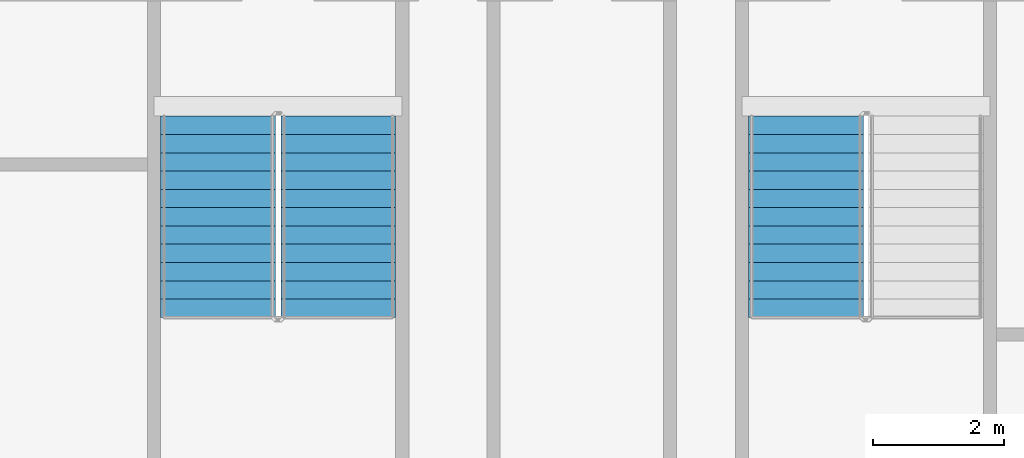
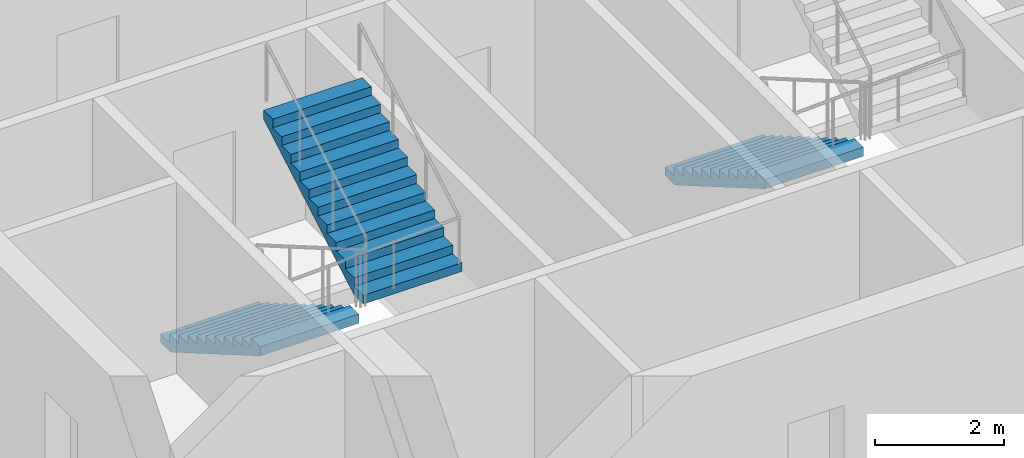
# One storey, part 7 of 11: 3 stair flights, 2 elements without a shape of their own.
"""IFC4 building model written with IfcOpenShell, lengths in metres."""

import ifcopenshell
import ifcopenshell.guid

model = None  # the IFC model being written
_history = None  # IfcOwnerHistory: only IFC2X3 demands one
_inside = {}  # id of a spatial element -> (the spatial element, [elements in it])
_under = {}  # id of a project, library or spatial element -> (it, [spatial elements below it])
_declared = {}  # id of a project -> (the project, [libraries it declares])
_typed = {}  # id of a type object -> (the type object, [elements of that type])
_made_of = {}  # id of a material, layer set ... -> (it, [elements and type objects made of it])


def new_model(schema):
    """Start an empty IFC model of exactly this schema.

    Asked for "IFC4X3", IfcOpenShell would pick the latest addendum, in which some entities
    have other attributes; the version numbers below select the first issue.
    IFC2X3 requires an IfcOwnerHistory on every rooted entity: one is made here for all.
    """
    global model, _history
    if schema == "IFC4X3":
        model = ifcopenshell.file(schema_version=(4, 3, 0, 0))
    else:
        model = ifcopenshell.file(schema=schema)
    _inside.clear()
    _under.clear()
    _declared.clear()
    _typed.clear()
    _made_of.clear()
    _history = None
    if model.schema == "IFC2X3":
        org = make("IfcOrganization", Name="unknown")
        user = make(
            "IfcPersonAndOrganization",
            ThePerson=make("IfcPerson", FamilyName="unknown"),
            TheOrganization=org,
        )
        app = make(
            "IfcApplication",
            ApplicationDeveloper=org,
            Version="unknown",
            ApplicationFullName="unknown",
            ApplicationIdentifier="unknown",
        )
        _history = make(
            "IfcOwnerHistory",
            OwningUser=user,
            OwningApplication=app,
            ChangeAction="ADDED",
            CreationDate=0,
        )
    return model


def make(cls, **values):
    """One entity of the class cls with the attributes given. An attribute that is None is left unset."""
    return model.create_entity(
        cls, **{name: value for name, value in values.items() if value is not None}
    )


def rooted(cls, **values):
    """An entity with a GlobalId (a new one), such as an element, a storey or a relation."""
    return make(cls, GlobalId=ifcopenshell.guid.new(), OwnerHistory=_history, **values)


def si_unit(unit_type, name, prefix=None):
    """IfcSIUnit, for example si_unit("LENGTHUNIT", "METRE", prefix="MILLI")."""
    return make("IfcSIUnit", UnitType=unit_type, Prefix=prefix, Name=name)


def assignment(units):
    """IfcUnitAssignment: the units of a project."""
    return None if units is None else make("IfcUnitAssignment", Units=units)


def point(xyz):
    """IfcCartesianPoint."""
    return None if xyz is None else make("IfcCartesianPoint", Coordinates=xyz)


def direction(xyz):
    """IfcDirection."""
    return None if xyz is None else make("IfcDirection", DirectionRatios=xyz)


def frame(location, z_axis=None, x_axis=None):
    """IfcAxis2Placement3D, a coordinate frame: its origin and axes. An axis left out is left unset."""
    return make(
        "IfcAxis2Placement3D",
        Location=point(location),
        Axis=direction(z_axis),
        RefDirection=direction(x_axis),
    )


def origin():
    """The frame at (0, 0, 0) with its axes left unset."""
    return frame((0.0, 0.0, 0.0))


def place(relative_to, where):
    """IfcLocalPlacement: puts the frame where relative to a parent placement (None: the world)."""
    return make(
        "IfcLocalPlacement", PlacementRelTo=relative_to, RelativePlacement=where
    )


def context(
    kind, dimensions, precision=None, world=None, true_north=None, identifier=None
):
    """IfcGeometricRepresentationContext, for example the 3D "Model" context."""
    return make(
        "IfcGeometricRepresentationContext",
        ContextIdentifier=identifier,
        ContextType=kind,
        CoordinateSpaceDimension=dimensions,
        Precision=precision,
        WorldCoordinateSystem=world,
        TrueNorth=true_north,
    )


def subcontext(parent, identifier, kind, view, scale=None):
    """IfcGeometricRepresentationSubContext, for example "Body" below "Model"."""
    return make(
        "IfcGeometricRepresentationSubContext",
        ContextIdentifier=identifier,
        ContextType=kind,
        ParentContext=parent,
        TargetScale=scale,
        TargetView=view,
    )


def project(units=None, contexts=None):
    """IfcProject with its units and contexts."""
    return rooted(
        "IfcProject",
        Name="project",
        RepresentationContexts=contexts,
        UnitsInContext=assignment(units),
    )


def spatial(cls, under=None, at=None, **own):
    """A site, building, storey or space (cls), placed at a placement, below another one or the project."""
    s = rooted(cls, ObjectPlacement=at, **own)
    if under is not None:
        _under.setdefault(under.id(), (under, []))[1].append(s)
    return s


def faces_of(points, faces, orient=None, outer=None):
    """IfcFace entities. A face is a list of loops; a loop is a list of indices into points, from 0.

    orient and outer hold one flag for each loop. By default every Orientation is true, the
    first loop of a face is its IfcFaceOuterBound and the others are IfcFaceBound.
    """
    made = []
    for i, loops in enumerate(faces):
        bounds = []
        for j, loop in enumerate(loops):
            is_outer = j == 0 if outer is None else outer[i][j]
            bounds.append(
                make(
                    "IfcFaceOuterBound" if is_outer else "IfcFaceBound",
                    Bound=make("IfcPolyLoop", Polygon=[points[k] for k in loop]),
                    Orientation=True if orient is None else orient[i][j],
                )
            )
        made.append(make("IfcFace", Bounds=bounds))
    return made


def faceted_brep(points, faces, orient=None, outer=None, voids=None):
    """IfcFacetedBrep: a solid bounded by flat faces; with voids (closed shells), ...WithVoids."""
    shared = [point(p) for p in points]
    hull = make("IfcClosedShell", CfsFaces=faces_of(shared, faces, orient, outer))
    if voids is None:
        return make("IfcFacetedBrep", Outer=hull)
    return make(
        "IfcFacetedBrepWithVoids",
        Outer=hull,
        Voids=[
            make(cls, CfsFaces=faces_of(shared, fs, o, b)) for cls, fs, o, b in voids
        ],
    )


def shape(context_of_items, identifier, shape_type, items):
    """IfcShapeRepresentation: the items that make up one representation, for example the "Body"."""
    return make(
        "IfcShapeRepresentation",
        ContextOfItems=context_of_items,
        RepresentationIdentifier=identifier,
        RepresentationType=shape_type,
        Items=items,
    )


def material(Name=None, Category=None):
    """IfcMaterial."""
    return make("IfcMaterial", Name=Name, Category=Category)


def made_of(thing, what):
    """Note that an element or type object is made of a material, layer set ...; save() writes the relation."""
    if what is not None:
        _made_of.setdefault(what.id(), (what, []))[1].append(thing)
    return thing


def type_object(cls, material=None, **own):
    """A type object (cls), such as IfcWallType, which elements share."""
    return made_of(rooted(cls, **own), material)


def element(
    cls,
    number,
    at=None,
    inside=None,
    cuts=None,
    type_object=None,
    material=None,
    context=None,
    identifier="Body",
    shape_type=None,
    held_by="IfcProductDefinitionShape",
    body=None,
    shapes=None,
    **own,
):
    """One element of the class cls, such as IfcWall. Its Tag is "e" and its number.

    at: its placement. inside: the storey or other place that contains it. cuts: it is an
    opening in that element (IfcRelVoidsElement). A single representation is given by context,
    identifier, shape_type and body (its items); several are given by shapes. held_by: the class
    of the entity that holds the representations. save() writes the other relations.
    """
    e = rooted(cls, Tag="e%d" % number, ObjectPlacement=at, **own)
    if body is not None:
        shapes = [shape(context, identifier, shape_type, body)]
    if shapes is not None:
        e.Representation = make(held_by, Representations=shapes)
    if inside is not None:
        _inside.setdefault(inside.id(), (inside, []))[1].append(e)
    if cuts is not None:
        rooted(
            "IfcRelVoidsElement", RelatingBuildingElement=cuts, RelatedOpeningElement=e
        )
    if type_object is not None:
        _typed.setdefault(type_object.id(), (type_object, []))[1].append(e)
    return made_of(e, material)


def aggregate(whole, parts):
    """IfcRelAggregates: a whole, such as a stair, and the parts it consists of."""
    return rooted("IfcRelAggregates", RelatingObject=whole, RelatedObjects=parts)


def save(model, path):
    """Write the relations noted so far, then the file.

    IfcRelAggregates (storeys below a building ...), IfcRelContainedInSpatialStructure (elements
    in a storey), IfcRelDefinesByType, IfcRelAssociatesMaterial and IfcRelDeclares: one each for
    every whole, place, type object, material and project.
    """
    for whole, parts in _under.values():
        aggregate(whole, parts)
    for where, things in _inside.values():
        rooted(
            "IfcRelContainedInSpatialStructure",
            RelatedElements=things,
            RelatingStructure=where,
        )
    for kind, things in _typed.values():
        rooted("IfcRelDefinesByType", RelatedObjects=things, RelatingType=kind)
    for what, things in _made_of.values():
        rooted("IfcRelAssociatesMaterial", RelatedObjects=things, RelatingMaterial=what)
    for by, libraries in _declared.values():
        rooted("IfcRelDeclares", RelatingContext=by, RelatedDefinitions=libraries)
    model.write(path)


model = new_model("IFC4")

# Units and contexts
model_context = context("Model", 3, precision=1e-05, world=origin(), true_north=direction((0.0, 1.0)))
body_context = subcontext(model_context, "Body", "Model", "MODEL_VIEW")
ifc_project = project(units=[si_unit("LENGTHUNIT", "METRE"), si_unit("AREAUNIT", "SQUARE_METRE"), si_unit("VOLUMEUNIT", "CUBIC_METRE"), si_unit("PLANEANGLEUNIT", "RADIAN"), si_unit("MASSUNIT", "GRAM", prefix="KILO")], contexts=[model_context])

# Site, building, storey
site_placement = place(None, origin())
site = spatial("IfcSite", under=ifc_project, at=site_placement, CompositionType="ELEMENT")
building_placement = place(site_placement, origin())
building = spatial("IfcBuilding", under=site, at=building_placement, Name="Tarsis Ring Headquarters", CompositionType="ELEMENT")
storey_placement = place(building_placement, frame((0.0, 0.0, 350.89990234375)))
storey = spatial("IfcBuildingStorey", under=building, at=storey_placement, Name="L83", CompositionType="ELEMENT", Elevation=350.89990234375)

# Stair, stair flights
ifc_material_1 = material(Name="Core stair 1760")
stair_type = type_object("IfcStairType", Name="Core stair 1760", PredefinedType="HALF_TURN_STAIR", material=ifc_material_1)
stair_1_placement = place(storey_placement, origin())
stair_1 = element("IfcStair", 1, at=stair_1_placement, inside=storey, type_object=stair_type, Name="L83 Exit stair C", PredefinedType="HALF_TURN_STAIR")
ifc_material_2 = material(Name="Concrete C40/50", Category="concrete")
stair_flight_type = type_object("IfcStairFlightType", Name="Core stair flight 1760", PredefinedType="STRAIGHT", material=ifc_material_2)
stair_flight_1_placement = place(storey_placement, frame((-5.419921875, -3.659912109375, 0.0), z_axis=(0.0, 0.0, 1.0), x_axis=(0.0, -1.0, 0.0)))
stair_flight_1 = element("IfcStairFlight", 2, at=stair_flight_1_placement, type_object=stair_flight_type, Name="Stair ST3 flight 1", NumberOfRisers=12, NumberOfTreads=11, PredefinedType="STRAIGHT", RiserHeight=0.1625, TreadLength=0.28, context=body_context, shape_type="Brep", body=[
    faceted_brep([(0.0, 0.8798828125, 0.0), (0.0, 0.8798828125, 0.16259765625), (0.280029296875, 0.8798828125, 0.16259765625), (0.280029296875, 0.8798828125, 0.324951171875), (0.56005859375, 0.8798828125, 0.324951171875), (0.56005859375, 0.8798828125, 0.487548828125), (0.840087890625, 0.8798828125, 0.487548828125), (0.840087890625, 0.8798828125, 0.64990234375), (1.1201171875, 0.8798828125, 0.64990234375), (1.1201171875, 0.8798828125, 0.8125), (1.39990234375, 0.8798828125, 0.8125), (1.39990234375, 0.8798828125, 0.97509765625), (1.679931640625, 0.8798828125, 0.97509765625), (1.679931640625, 0.8798828125, 1.137451171875), (1.9599609375, 0.8798828125, 1.137451171875), (1.9599609375, 0.8798828125, 1.300048828125), (2.239990234375, 0.8798828125, 1.300048828125), (2.239990234375, 0.8798828125, 1.46240234375), (2.52001953125, 0.8798828125, 1.46240234375), (2.52001953125, 0.8798828125, 1.625), (2.800048828125, 0.8798828125, 1.625), (2.800048828125, 0.8798828125, 1.78759765625), (3.080078125, 0.8798828125, 1.78759765625), (3.080078125, 0.8798828125, 1.6142578125), (0.298583984375, 0.8798828125, 0.0), (0.298583984375, -0.8798828125, 0.0), (3.080078125, -0.8798828125, 1.6142578125), (3.080078125, -0.8798828125, 1.78759765625), (2.800048828125, -0.8798828125, 1.78759765625), (2.800048828125, -0.8798828125, 1.625), (2.52001953125, -0.8798828125, 1.625), (2.52001953125, -0.8798828125, 1.46240234375), (2.239990234375, -0.8798828125, 1.46240234375), (2.239990234375, -0.8798828125, 1.300048828125), (1.9599609375, -0.8798828125, 1.300048828125), (1.9599609375, -0.8798828125, 1.137451171875), (1.679931640625, -0.8798828125, 1.137451171875), (1.679931640625, -0.8798828125, 0.97509765625), (1.39990234375, -0.8798828125, 0.97509765625), (1.39990234375, -0.8798828125, 0.8125), (1.1201171875, -0.8798828125, 0.8125), (1.1201171875, -0.8798828125, 0.64990234375), (0.840087890625, -0.8798828125, 0.64990234375), (0.840087890625, -0.8798828125, 0.487548828125), (0.56005859375, -0.8798828125, 0.487548828125), (0.56005859375, -0.8798828125, 0.324951171875), (0.280029296875, -0.8798828125, 0.324951171875), (0.280029296875, -0.8798828125, 0.16259765625), (0.0, -0.8798828125, 0.16259765625), (0.0, -0.8798828125, 0.0), (0.0, -0.43994140625, 0.16259765625), (0.0, -0.43994140625, 0.0), (0.0, 0.0, 0.16259765625), (0.0, 0.0, 0.0), (0.0, 0.43994140625, 0.16259765625), (0.0, 0.43994140625, 0.0), (0.280029296875, -0.43994140625, 0.16259765625), (0.280029296875, 0.0, 0.16259765625), (0.280029296875, 0.43994140625, 0.16259765625), (0.280029296875, -0.43994140625, 0.324951171875), (0.280029296875, 0.0, 0.324951171875), (0.280029296875, 0.43994140625, 0.324951171875), (0.56005859375, -0.43994140625, 0.324951171875), (0.56005859375, 0.0, 0.324951171875), (0.56005859375, 0.43994140625, 0.324951171875), (0.56005859375, -0.43994140625, 0.487548828125), (0.56005859375, 0.0, 0.487548828125), (0.56005859375, 0.43994140625, 0.487548828125), (0.840087890625, -0.43994140625, 0.487548828125), (0.840087890625, 0.0, 0.487548828125), (0.840087890625, 0.43994140625, 0.487548828125), (0.840087890625, -0.43994140625, 0.64990234375), (0.840087890625, 0.0, 0.64990234375), (0.840087890625, 0.43994140625, 0.64990234375), (1.1201171875, -0.43994140625, 0.64990234375), (1.1201171875, 0.0, 0.64990234375), (1.1201171875, 0.43994140625, 0.64990234375), (1.1201171875, -0.43994140625, 0.8125), (1.1201171875, 0.0, 0.8125), (1.1201171875, 0.43994140625, 0.8125), (1.39990234375, -0.43994140625, 0.8125), (1.39990234375, 0.0, 0.8125), (1.39990234375, 0.43994140625, 0.8125), (1.39990234375, -0.43994140625, 0.97509765625), (1.39990234375, 0.0, 0.97509765625), (1.39990234375, 0.43994140625, 0.97509765625), (1.679931640625, -0.43994140625, 0.97509765625), (1.679931640625, 0.0, 0.97509765625), (1.679931640625, 0.43994140625, 0.97509765625), (1.679931640625, -0.43994140625, 1.137451171875), (1.679931640625, 0.0, 1.137451171875), (1.679931640625, 0.43994140625, 1.137451171875), (1.9599609375, -0.43994140625, 1.137451171875), (1.9599609375, 0.0, 1.137451171875), (1.9599609375, 0.43994140625, 1.137451171875), (1.9599609375, -0.43994140625, 1.300048828125), (1.9599609375, 0.0, 1.300048828125), (1.9599609375, 0.43994140625, 1.300048828125), (2.239990234375, -0.43994140625, 1.300048828125), (2.239990234375, 0.0, 1.300048828125), (2.239990234375, 0.43994140625, 1.300048828125), (2.239990234375, -0.43994140625, 1.46240234375), (2.239990234375, 0.0, 1.46240234375), (2.239990234375, 0.43994140625, 1.46240234375), (2.52001953125, -0.43994140625, 1.46240234375), (2.52001953125, 0.0, 1.46240234375), (2.52001953125, 0.43994140625, 1.46240234375), (2.52001953125, -0.43994140625, 1.625), (2.52001953125, 0.0, 1.625), (2.52001953125, 0.43994140625, 1.625), (2.800048828125, -0.43994140625, 1.625), (2.800048828125, 0.0, 1.625), (2.800048828125, 0.43994140625, 1.625), (2.800048828125, -0.43994140625, 1.78759765625), (2.800048828125, 0.0, 1.78759765625), (2.800048828125, 0.43994140625, 1.78759765625), (3.080078125, -0.43994140625, 1.78759765625), (3.080078125, 0.0, 1.78759765625), (3.080078125, 0.43994140625, 1.78759765625), (3.080078125, -0.43994140625, 1.6142578125), (3.080078125, 0.0, 1.6142578125), (3.080078125, 0.43994140625, 1.6142578125), (0.298583984375, -0.43994140625, 0.0), (0.298583984375, 0.0, 0.0), (0.298583984375, 0.43994140625, 0.0)], [[[0, 1, 2, 3, 4, 5, 6, 7, 8, 9, 10, 11, 12, 13, 14, 15, 16, 17, 18, 19, 20, 21, 22, 23, 24]], [[25, 26, 27, 28, 29, 30, 31, 32, 33, 34, 35, 36, 37, 38, 39, 40, 41, 42, 43, 44, 45, 46, 47, 48, 49]], [[49, 48, 50, 51]], [[51, 50, 52, 53]], [[53, 52, 54, 55]], [[55, 54, 1, 0]], [[48, 47, 56, 50]], [[50, 56, 57, 52]], [[52, 57, 58, 54]], [[54, 58, 2, 1]], [[47, 46, 59, 56]], [[56, 59, 60, 57]], [[57, 60, 61, 58]], [[58, 61, 3, 2]], [[46, 45, 62, 59]], [[59, 62, 63, 60]], [[60, 63, 64, 61]], [[61, 64, 4, 3]], [[45, 44, 65, 62]], [[62, 65, 66, 63]], [[63, 66, 67, 64]], [[64, 67, 5, 4]], [[44, 43, 68, 65]], [[65, 68, 69, 66]], [[66, 69, 70, 67]], [[67, 70, 6, 5]], [[43, 42, 71, 68]], [[68, 71, 72, 69]], [[69, 72, 73, 70]], [[70, 73, 7, 6]], [[42, 41, 74, 71]], [[71, 74, 75, 72]], [[72, 75, 76, 73]], [[73, 76, 8, 7]], [[41, 40, 77, 74]], [[74, 77, 78, 75]], [[75, 78, 79, 76]], [[76, 79, 9, 8]], [[40, 39, 80, 77]], [[77, 80, 81, 78]], [[78, 81, 82, 79]], [[79, 82, 10, 9]], [[39, 38, 83, 80]], [[80, 83, 84, 81]], [[81, 84, 85, 82]], [[82, 85, 11, 10]], [[38, 37, 86, 83]], [[83, 86, 87, 84]], [[84, 87, 88, 85]], [[85, 88, 12, 11]], [[37, 36, 89, 86]], [[86, 89, 90, 87]], [[87, 90, 91, 88]], [[88, 91, 13, 12]], [[36, 35, 92, 89]], [[89, 92, 93, 90]], [[90, 93, 94, 91]], [[91, 94, 14, 13]], [[35, 34, 95, 92]], [[92, 95, 96, 93]], [[93, 96, 97, 94]], [[94, 97, 15, 14]], [[34, 33, 98, 95]], [[95, 98, 99, 96]], [[96, 99, 100, 97]], [[97, 100, 16, 15]], [[33, 32, 101, 98]], [[98, 101, 102, 99]], [[99, 102, 103, 100]], [[100, 103, 17, 16]], [[32, 31, 104, 101]], [[101, 104, 105, 102]], [[102, 105, 106, 103]], [[103, 106, 18, 17]], [[31, 30, 107, 104]], [[104, 107, 108, 105]], [[105, 108, 109, 106]], [[106, 109, 19, 18]], [[30, 29, 110, 107]], [[107, 110, 111, 108]], [[108, 111, 112, 109]], [[109, 112, 20, 19]], [[29, 28, 113, 110]], [[110, 113, 114, 111]], [[111, 114, 115, 112]], [[112, 115, 21, 20]], [[28, 27, 116, 113]], [[113, 116, 117, 114]], [[114, 117, 118, 115]], [[115, 118, 22, 21]], [[27, 26, 119, 116]], [[116, 119, 120, 117]], [[117, 120, 121, 118]], [[118, 121, 23, 22]], [[26, 25, 122, 119]], [[119, 122, 123, 120]], [[120, 123, 124, 121]], [[121, 124, 24, 23]], [[25, 49, 51, 122]], [[122, 51, 53, 123]], [[123, 53, 55, 124]], [[124, 55, 0, 24]]]),
])
stair_flight_2_placement = place(storey_placement, frame((-3.580078125, -6.739990234375, 1.9501953125), z_axis=(0.0, 0.0, 1.0), x_axis=(0.0, 1.0, 0.0)))
stair_flight_2 = element("IfcStairFlight", 3, at=stair_flight_2_placement, type_object=stair_flight_type, Name="Stair ST3 flight 2", NumberOfRisers=12, NumberOfTreads=11, PredefinedType="STRAIGHT", RiserHeight=0.1625, TreadLength=0.28, context=body_context, shape_type="Brep", body=[
    faceted_brep([(0.0, 0.8798828125, 0.0), (0.0, 0.8798828125, 0.16259765625), (0.280029296875, 0.8798828125, 0.16259765625), (0.280029296875, 0.8798828125, 0.324951171875), (0.56005859375, 0.8798828125, 0.324951171875), (0.56005859375, 0.8798828125, 0.487548828125), (0.840087890625, 0.8798828125, 0.487548828125), (0.840087890625, 0.8798828125, 0.64990234375), (1.1201171875, 0.8798828125, 0.64990234375), (1.1201171875, 0.8798828125, 0.8125), (1.39990234375, 0.8798828125, 0.8125), (1.39990234375, 0.8798828125, 0.97509765625), (1.679931640625, 0.8798828125, 0.97509765625), (1.679931640625, 0.8798828125, 1.137451171875), (1.9599609375, 0.8798828125, 1.137451171875), (1.9599609375, 0.8798828125, 1.300048828125), (2.239990234375, 0.8798828125, 1.300048828125), (2.239990234375, 0.8798828125, 1.46240234375), (2.52001953125, 0.8798828125, 1.46240234375), (2.52001953125, 0.8798828125, 1.625), (2.800048828125, 0.8798828125, 1.625), (2.800048828125, 0.8798828125, 1.78759765625), (3.080078125, 0.8798828125, 1.78759765625), (3.080078125, 0.8798828125, 1.6142578125), (0.298583984375, 0.8798828125, 0.0), (0.298583984375, -0.8798828125, 0.0), (3.080078125, -0.8798828125, 1.6142578125), (3.080078125, -0.8798828125, 1.78759765625), (2.800048828125, -0.8798828125, 1.78759765625), (2.800048828125, -0.8798828125, 1.625), (2.52001953125, -0.8798828125, 1.625), (2.52001953125, -0.8798828125, 1.46240234375), (2.239990234375, -0.8798828125, 1.46240234375), (2.239990234375, -0.8798828125, 1.300048828125), (1.9599609375, -0.8798828125, 1.300048828125), (1.9599609375, -0.8798828125, 1.137451171875), (1.679931640625, -0.8798828125, 1.137451171875), (1.679931640625, -0.8798828125, 0.97509765625), (1.39990234375, -0.8798828125, 0.97509765625), (1.39990234375, -0.8798828125, 0.8125), (1.1201171875, -0.8798828125, 0.8125), (1.1201171875, -0.8798828125, 0.64990234375), (0.840087890625, -0.8798828125, 0.64990234375), (0.840087890625, -0.8798828125, 0.487548828125), (0.56005859375, -0.8798828125, 0.487548828125), (0.56005859375, -0.8798828125, 0.324951171875), (0.280029296875, -0.8798828125, 0.324951171875), (0.280029296875, -0.8798828125, 0.16259765625), (0.0, -0.8798828125, 0.16259765625), (0.0, -0.8798828125, 0.0), (0.0, -0.43994140625, 0.16259765625), (0.0, -0.43994140625, 0.0), (0.0, 0.0, 0.16259765625), (0.0, 0.0, 0.0), (0.0, 0.43994140625, 0.16259765625), (0.0, 0.43994140625, 0.0), (0.280029296875, -0.43994140625, 0.16259765625), (0.280029296875, 0.0, 0.16259765625), (0.280029296875, 0.43994140625, 0.16259765625), (0.280029296875, -0.43994140625, 0.324951171875), (0.280029296875, 0.0, 0.324951171875), (0.280029296875, 0.43994140625, 0.324951171875), (0.56005859375, -0.43994140625, 0.324951171875), (0.56005859375, 0.0, 0.324951171875), (0.56005859375, 0.43994140625, 0.324951171875), (0.56005859375, -0.43994140625, 0.487548828125), (0.56005859375, 0.0, 0.487548828125), (0.56005859375, 0.43994140625, 0.487548828125), (0.840087890625, -0.43994140625, 0.487548828125), (0.840087890625, 0.0, 0.487548828125), (0.840087890625, 0.43994140625, 0.487548828125), (0.840087890625, -0.43994140625, 0.64990234375), (0.840087890625, 0.0, 0.64990234375), (0.840087890625, 0.43994140625, 0.64990234375), (1.1201171875, -0.43994140625, 0.64990234375), (1.1201171875, 0.0, 0.64990234375), (1.1201171875, 0.43994140625, 0.64990234375), (1.1201171875, -0.43994140625, 0.8125), (1.1201171875, 0.0, 0.8125), (1.1201171875, 0.43994140625, 0.8125), (1.39990234375, -0.43994140625, 0.8125), (1.39990234375, 0.0, 0.8125), (1.39990234375, 0.43994140625, 0.8125), (1.39990234375, -0.43994140625, 0.97509765625), (1.39990234375, 0.0, 0.97509765625), (1.39990234375, 0.43994140625, 0.97509765625), (1.679931640625, -0.43994140625, 0.97509765625), (1.679931640625, 0.0, 0.97509765625), (1.679931640625, 0.43994140625, 0.97509765625), (1.679931640625, -0.43994140625, 1.137451171875), (1.679931640625, 0.0, 1.137451171875), (1.679931640625, 0.43994140625, 1.137451171875), (1.9599609375, -0.43994140625, 1.137451171875), (1.9599609375, 0.0, 1.137451171875), (1.9599609375, 0.43994140625, 1.137451171875), (1.9599609375, -0.43994140625, 1.300048828125), (1.9599609375, 0.0, 1.300048828125), (1.9599609375, 0.43994140625, 1.300048828125), (2.239990234375, -0.43994140625, 1.300048828125), (2.239990234375, 0.0, 1.300048828125), (2.239990234375, 0.43994140625, 1.300048828125), (2.239990234375, -0.43994140625, 1.46240234375), (2.239990234375, 0.0, 1.46240234375), (2.239990234375, 0.43994140625, 1.46240234375), (2.52001953125, -0.43994140625, 1.46240234375), (2.52001953125, 0.0, 1.46240234375), (2.52001953125, 0.43994140625, 1.46240234375), (2.52001953125, -0.43994140625, 1.625), (2.52001953125, 0.0, 1.625), (2.52001953125, 0.43994140625, 1.625), (2.800048828125, -0.43994140625, 1.625), (2.800048828125, 0.0, 1.625), (2.800048828125, 0.43994140625, 1.625), (2.800048828125, -0.43994140625, 1.78759765625), (2.800048828125, 0.0, 1.78759765625), (2.800048828125, 0.43994140625, 1.78759765625), (3.080078125, -0.43994140625, 1.78759765625), (3.080078125, 0.0, 1.78759765625), (3.080078125, 0.43994140625, 1.78759765625), (3.080078125, -0.43994140625, 1.6142578125), (3.080078125, 0.0, 1.6142578125), (3.080078125, 0.43994140625, 1.6142578125), (0.298583984375, -0.43994140625, 0.0), (0.298583984375, 0.0, 0.0), (0.298583984375, 0.43994140625, 0.0)], [[[0, 1, 2, 3, 4, 5, 6, 7, 8, 9, 10, 11, 12, 13, 14, 15, 16, 17, 18, 19, 20, 21, 22, 23, 24]], [[25, 26, 27, 28, 29, 30, 31, 32, 33, 34, 35, 36, 37, 38, 39, 40, 41, 42, 43, 44, 45, 46, 47, 48, 49]], [[49, 48, 50, 51]], [[51, 50, 52, 53]], [[53, 52, 54, 55]], [[55, 54, 1, 0]], [[48, 47, 56, 50]], [[50, 56, 57, 52]], [[52, 57, 58, 54]], [[54, 58, 2, 1]], [[47, 46, 59, 56]], [[56, 59, 60, 57]], [[57, 60, 61, 58]], [[58, 61, 3, 2]], [[46, 45, 62, 59]], [[59, 62, 63, 60]], [[60, 63, 64, 61]], [[61, 64, 4, 3]], [[45, 44, 65, 62]], [[62, 65, 66, 63]], [[63, 66, 67, 64]], [[64, 67, 5, 4]], [[44, 43, 68, 65]], [[65, 68, 69, 66]], [[66, 69, 70, 67]], [[67, 70, 6, 5]], [[43, 42, 71, 68]], [[68, 71, 72, 69]], [[69, 72, 73, 70]], [[70, 73, 7, 6]], [[42, 41, 74, 71]], [[71, 74, 75, 72]], [[72, 75, 76, 73]], [[73, 76, 8, 7]], [[41, 40, 77, 74]], [[74, 77, 78, 75]], [[75, 78, 79, 76]], [[76, 79, 9, 8]], [[40, 39, 80, 77]], [[77, 80, 81, 78]], [[78, 81, 82, 79]], [[79, 82, 10, 9]], [[39, 38, 83, 80]], [[80, 83, 84, 81]], [[81, 84, 85, 82]], [[82, 85, 11, 10]], [[38, 37, 86, 83]], [[83, 86, 87, 84]], [[84, 87, 88, 85]], [[85, 88, 12, 11]], [[37, 36, 89, 86]], [[86, 89, 90, 87]], [[87, 90, 91, 88]], [[88, 91, 13, 12]], [[36, 35, 92, 89]], [[89, 92, 93, 90]], [[90, 93, 94, 91]], [[91, 94, 14, 13]], [[35, 34, 95, 92]], [[92, 95, 96, 93]], [[93, 96, 97, 94]], [[94, 97, 15, 14]], [[34, 33, 98, 95]], [[95, 98, 99, 96]], [[96, 99, 100, 97]], [[97, 100, 16, 15]], [[33, 32, 101, 98]], [[98, 101, 102, 99]], [[99, 102, 103, 100]], [[100, 103, 17, 16]], [[32, 31, 104, 101]], [[101, 104, 105, 102]], [[102, 105, 106, 103]], [[103, 106, 18, 17]], [[31, 30, 107, 104]], [[104, 107, 108, 105]], [[105, 108, 109, 106]], [[106, 109, 19, 18]], [[30, 29, 110, 107]], [[107, 110, 111, 108]], [[108, 111, 112, 109]], [[109, 112, 20, 19]], [[29, 28, 113, 110]], [[110, 113, 114, 111]], [[111, 114, 115, 112]], [[112, 115, 21, 20]], [[28, 27, 116, 113]], [[113, 116, 117, 114]], [[114, 117, 118, 115]], [[115, 118, 22, 21]], [[27, 26, 119, 116]], [[116, 119, 120, 117]], [[117, 120, 121, 118]], [[118, 121, 23, 22]], [[26, 25, 122, 119]], [[119, 122, 123, 120]], [[120, 123, 124, 121]], [[121, 124, 24, 23]], [[25, 49, 51, 122]], [[122, 51, 53, 123]], [[123, 53, 55, 124]], [[124, 55, 0, 24]]]),
])
aggregate(stair_1, [stair_flight_1, stair_flight_2])

# Stair, stair flight
stair_2_placement = place(storey_placement, origin())
stair_2 = element("IfcStair", 4, at=stair_2_placement, inside=storey, type_object=stair_type, Name="L83 Exit stair D", PredefinedType="HALF_TURN_STAIR")
stair_flight_3_placement = place(storey_placement, frame((3.580078125, -3.659912109375, 0.0), z_axis=(0.0, 0.0, 1.0), x_axis=(0.0, -1.0, 0.0)))
stair_flight_3 = element("IfcStairFlight", 5, at=stair_flight_3_placement, type_object=stair_flight_type, Name="Stair ST4 flight 1", NumberOfRisers=12, NumberOfTreads=11, PredefinedType="STRAIGHT", RiserHeight=0.1625, TreadLength=0.28, context=body_context, shape_type="Brep", body=[
    faceted_brep([(0.0, 0.8798828125, 0.0), (0.0, 0.8798828125, 0.16259765625), (0.280029296875, 0.8798828125, 0.16259765625), (0.280029296875, 0.8798828125, 0.324951171875), (0.56005859375, 0.8798828125, 0.324951171875), (0.56005859375, 0.8798828125, 0.487548828125), (0.840087890625, 0.8798828125, 0.487548828125), (0.840087890625, 0.8798828125, 0.64990234375), (1.1201171875, 0.8798828125, 0.64990234375), (1.1201171875, 0.8798828125, 0.8125), (1.39990234375, 0.8798828125, 0.8125), (1.39990234375, 0.8798828125, 0.97509765625), (1.679931640625, 0.8798828125, 0.97509765625), (1.679931640625, 0.8798828125, 1.137451171875), (1.9599609375, 0.8798828125, 1.137451171875), (1.9599609375, 0.8798828125, 1.300048828125), (2.239990234375, 0.8798828125, 1.300048828125), (2.239990234375, 0.8798828125, 1.46240234375), (2.52001953125, 0.8798828125, 1.46240234375), (2.52001953125, 0.8798828125, 1.625), (2.800048828125, 0.8798828125, 1.625), (2.800048828125, 0.8798828125, 1.78759765625), (3.080078125, 0.8798828125, 1.78759765625), (3.080078125, 0.8798828125, 1.6142578125), (0.298583984375, 0.8798828125, 0.0), (0.298583984375, -0.8798828125, 0.0), (3.080078125, -0.8798828125, 1.6142578125), (3.080078125, -0.8798828125, 1.78759765625), (2.800048828125, -0.8798828125, 1.78759765625), (2.800048828125, -0.8798828125, 1.625), (2.52001953125, -0.8798828125, 1.625), (2.52001953125, -0.8798828125, 1.46240234375), (2.239990234375, -0.8798828125, 1.46240234375), (2.239990234375, -0.8798828125, 1.300048828125), (1.9599609375, -0.8798828125, 1.300048828125), (1.9599609375, -0.8798828125, 1.137451171875), (1.679931640625, -0.8798828125, 1.137451171875), (1.679931640625, -0.8798828125, 0.97509765625), (1.39990234375, -0.8798828125, 0.97509765625), (1.39990234375, -0.8798828125, 0.8125), (1.1201171875, -0.8798828125, 0.8125), (1.1201171875, -0.8798828125, 0.64990234375), (0.840087890625, -0.8798828125, 0.64990234375), (0.840087890625, -0.8798828125, 0.487548828125), (0.56005859375, -0.8798828125, 0.487548828125), (0.56005859375, -0.8798828125, 0.324951171875), (0.280029296875, -0.8798828125, 0.324951171875), (0.280029296875, -0.8798828125, 0.16259765625), (0.0, -0.8798828125, 0.16259765625), (0.0, -0.8798828125, 0.0), (0.0, -0.43994140625, 0.16259765625), (0.0, -0.43994140625, 0.0), (0.0, 0.0, 0.16259765625), (0.0, 0.0, 0.0), (0.0, 0.43994140625, 0.16259765625), (0.0, 0.43994140625, 0.0), (0.280029296875, -0.43994140625, 0.16259765625), (0.280029296875, 0.0, 0.16259765625), (0.280029296875, 0.43994140625, 0.16259765625), (0.280029296875, -0.43994140625, 0.324951171875), (0.280029296875, 0.0, 0.324951171875), (0.280029296875, 0.43994140625, 0.324951171875), (0.56005859375, -0.43994140625, 0.324951171875), (0.56005859375, 0.0, 0.324951171875), (0.56005859375, 0.43994140625, 0.324951171875), (0.56005859375, -0.43994140625, 0.487548828125), (0.56005859375, 0.0, 0.487548828125), (0.56005859375, 0.43994140625, 0.487548828125), (0.840087890625, -0.43994140625, 0.487548828125), (0.840087890625, 0.0, 0.487548828125), (0.840087890625, 0.43994140625, 0.487548828125), (0.840087890625, -0.43994140625, 0.64990234375), (0.840087890625, 0.0, 0.64990234375), (0.840087890625, 0.43994140625, 0.64990234375), (1.1201171875, -0.43994140625, 0.64990234375), (1.1201171875, 0.0, 0.64990234375), (1.1201171875, 0.43994140625, 0.64990234375), (1.1201171875, -0.43994140625, 0.8125), (1.1201171875, 0.0, 0.8125), (1.1201171875, 0.43994140625, 0.8125), (1.39990234375, -0.43994140625, 0.8125), (1.39990234375, 0.0, 0.8125), (1.39990234375, 0.43994140625, 0.8125), (1.39990234375, -0.43994140625, 0.97509765625), (1.39990234375, 0.0, 0.97509765625), (1.39990234375, 0.43994140625, 0.97509765625), (1.679931640625, -0.43994140625, 0.97509765625), (1.679931640625, 0.0, 0.97509765625), (1.679931640625, 0.43994140625, 0.97509765625), (1.679931640625, -0.43994140625, 1.137451171875), (1.679931640625, 0.0, 1.137451171875), (1.679931640625, 0.43994140625, 1.137451171875), (1.9599609375, -0.43994140625, 1.137451171875), (1.9599609375, 0.0, 1.137451171875), (1.9599609375, 0.43994140625, 1.137451171875), (1.9599609375, -0.43994140625, 1.300048828125), (1.9599609375, 0.0, 1.300048828125), (1.9599609375, 0.43994140625, 1.300048828125), (2.239990234375, -0.43994140625, 1.300048828125), (2.239990234375, 0.0, 1.300048828125), (2.239990234375, 0.43994140625, 1.300048828125), (2.239990234375, -0.43994140625, 1.46240234375), (2.239990234375, 0.0, 1.46240234375), (2.239990234375, 0.43994140625, 1.46240234375), (2.52001953125, -0.43994140625, 1.46240234375), (2.52001953125, 0.0, 1.46240234375), (2.52001953125, 0.43994140625, 1.46240234375), (2.52001953125, -0.43994140625, 1.625), (2.52001953125, 0.0, 1.625), (2.52001953125, 0.43994140625, 1.625), (2.800048828125, -0.43994140625, 1.625), (2.800048828125, 0.0, 1.625), (2.800048828125, 0.43994140625, 1.625), (2.800048828125, -0.43994140625, 1.78759765625), (2.800048828125, 0.0, 1.78759765625), (2.800048828125, 0.43994140625, 1.78759765625), (3.080078125, -0.43994140625, 1.78759765625), (3.080078125, 0.0, 1.78759765625), (3.080078125, 0.43994140625, 1.78759765625), (3.080078125, -0.43994140625, 1.6142578125), (3.080078125, 0.0, 1.6142578125), (3.080078125, 0.43994140625, 1.6142578125), (0.298583984375, -0.43994140625, 0.0), (0.298583984375, 0.0, 0.0), (0.298583984375, 0.43994140625, 0.0)], [[[0, 1, 2, 3, 4, 5, 6, 7, 8, 9, 10, 11, 12, 13, 14, 15, 16, 17, 18, 19, 20, 21, 22, 23, 24]], [[25, 26, 27, 28, 29, 30, 31, 32, 33, 34, 35, 36, 37, 38, 39, 40, 41, 42, 43, 44, 45, 46, 47, 48, 49]], [[49, 48, 50, 51]], [[51, 50, 52, 53]], [[53, 52, 54, 55]], [[55, 54, 1, 0]], [[48, 47, 56, 50]], [[50, 56, 57, 52]], [[52, 57, 58, 54]], [[54, 58, 2, 1]], [[47, 46, 59, 56]], [[56, 59, 60, 57]], [[57, 60, 61, 58]], [[58, 61, 3, 2]], [[46, 45, 62, 59]], [[59, 62, 63, 60]], [[60, 63, 64, 61]], [[61, 64, 4, 3]], [[45, 44, 65, 62]], [[62, 65, 66, 63]], [[63, 66, 67, 64]], [[64, 67, 5, 4]], [[44, 43, 68, 65]], [[65, 68, 69, 66]], [[66, 69, 70, 67]], [[67, 70, 6, 5]], [[43, 42, 71, 68]], [[68, 71, 72, 69]], [[69, 72, 73, 70]], [[70, 73, 7, 6]], [[42, 41, 74, 71]], [[71, 74, 75, 72]], [[72, 75, 76, 73]], [[73, 76, 8, 7]], [[41, 40, 77, 74]], [[74, 77, 78, 75]], [[75, 78, 79, 76]], [[76, 79, 9, 8]], [[40, 39, 80, 77]], [[77, 80, 81, 78]], [[78, 81, 82, 79]], [[79, 82, 10, 9]], [[39, 38, 83, 80]], [[80, 83, 84, 81]], [[81, 84, 85, 82]], [[82, 85, 11, 10]], [[38, 37, 86, 83]], [[83, 86, 87, 84]], [[84, 87, 88, 85]], [[85, 88, 12, 11]], [[37, 36, 89, 86]], [[86, 89, 90, 87]], [[87, 90, 91, 88]], [[88, 91, 13, 12]], [[36, 35, 92, 89]], [[89, 92, 93, 90]], [[90, 93, 94, 91]], [[91, 94, 14, 13]], [[35, 34, 95, 92]], [[92, 95, 96, 93]], [[93, 96, 97, 94]], [[94, 97, 15, 14]], [[34, 33, 98, 95]], [[95, 98, 99, 96]], [[96, 99, 100, 97]], [[97, 100, 16, 15]], [[33, 32, 101, 98]], [[98, 101, 102, 99]], [[99, 102, 103, 100]], [[100, 103, 17, 16]], [[32, 31, 104, 101]], [[101, 104, 105, 102]], [[102, 105, 106, 103]], [[103, 106, 18, 17]], [[31, 30, 107, 104]], [[104, 107, 108, 105]], [[105, 108, 109, 106]], [[106, 109, 19, 18]], [[30, 29, 110, 107]], [[107, 110, 111, 108]], [[108, 111, 112, 109]], [[109, 112, 20, 19]], [[29, 28, 113, 110]], [[110, 113, 114, 111]], [[111, 114, 115, 112]], [[112, 115, 21, 20]], [[28, 27, 116, 113]], [[113, 116, 117, 114]], [[114, 117, 118, 115]], [[115, 118, 22, 21]], [[27, 26, 119, 116]], [[116, 119, 120, 117]], [[117, 120, 121, 118]], [[118, 121, 23, 22]], [[26, 25, 122, 119]], [[119, 122, 123, 120]], [[120, 123, 124, 121]], [[121, 124, 24, 23]], [[25, 49, 51, 122]], [[122, 51, 53, 123]], [[123, 53, 55, 124]], [[124, 55, 0, 24]]]),
])
aggregate(stair_2, [stair_flight_3])

save(model, "model.ifc")
